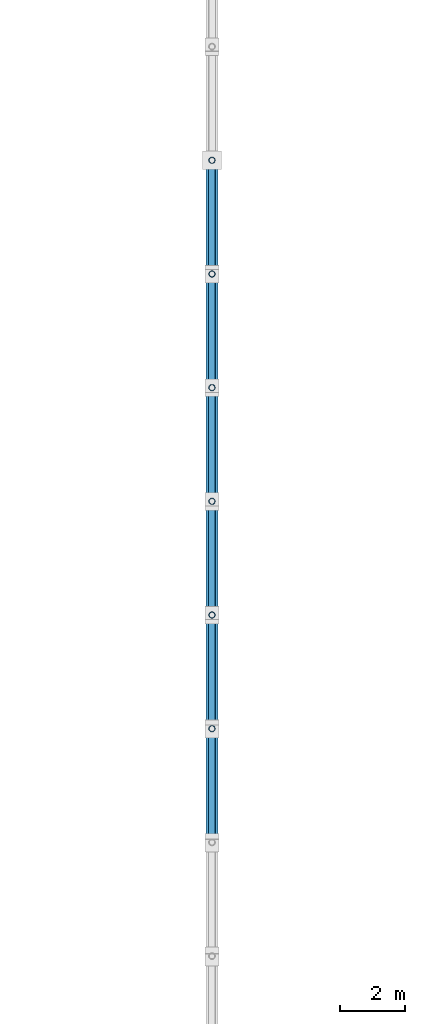
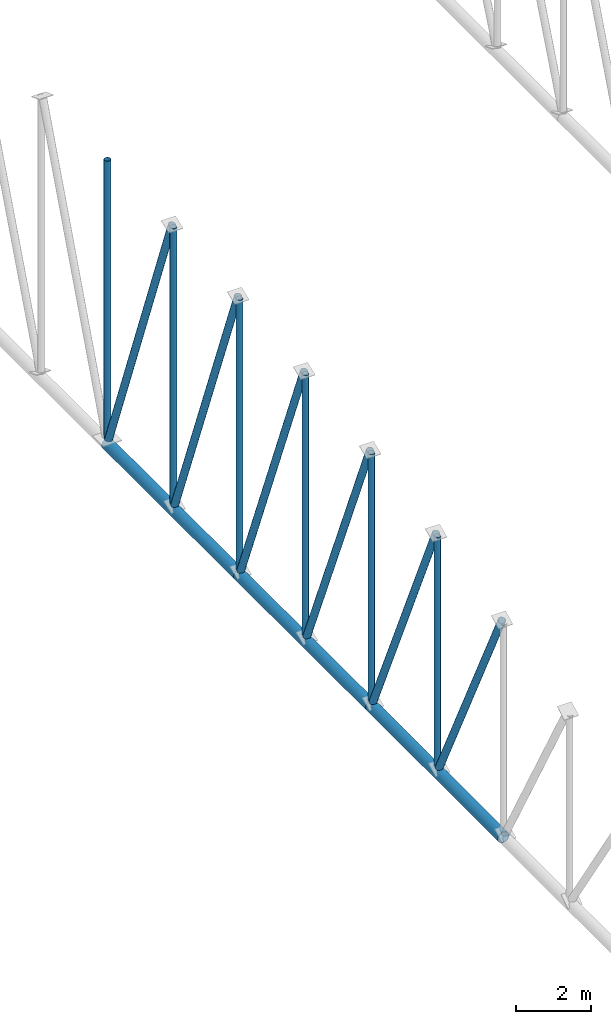
# One storey, part 73 of 196: 15 members.
"""IFC4 building model written with IfcOpenShell, lengths in metres."""

from ifc_helpers import new_model, si_unit, direction, frame, origin, origin_2d, place, context, subcontext, project, spatial, hollow_circle, extrude, material, material_profile, profile_set, type_object, element, save


model = new_model("IFC4")

# Units and contexts
model_context = context("Model", 3, precision=1e-05, world=origin(), true_north=direction((0.0, 1.0)))
body_context = subcontext(model_context, "Body", "Model", "MODEL_VIEW")
ifc_project = project(units=[si_unit("LENGTHUNIT", "METRE"), si_unit("AREAUNIT", "SQUARE_METRE"), si_unit("VOLUMEUNIT", "CUBIC_METRE"), si_unit("PLANEANGLEUNIT", "RADIAN"), si_unit("MASSUNIT", "GRAM", prefix="KILO")], contexts=[model_context])

# Site, building, storey
site_placement = place(None, origin())
site = spatial("IfcSite", under=ifc_project, at=site_placement, CompositionType="ELEMENT")
building_placement = place(site_placement, origin())
building = spatial("IfcBuilding", under=site, at=building_placement, Name="Okhra Congress Centre", CompositionType="ELEMENT")
storey_placement = place(building_placement, frame((0.0, 0.0, 12.0)))
storey = spatial("IfcBuildingStorey", under=building, at=storey_placement, Name="L02", CompositionType="ELEMENT", Elevation=12.0)

# Members
ifc_material = material(Name="Steel S355J2H", Category="steel")
ifc_material_profile_1 = material_profile(ifc_material, hollow_circle(Radius=0.096923828125, WallThickness=0.008056640625, at=origin_2d()), Name="CHS 193.7x8.0")
ifc_profile_set_1 = profile_set([ifc_material_profile_1], Name="Steel S355J2H")
member_type_1 = type_object("IfcMemberType", Name="CHS 193.7x8.0", PredefinedType="POST", material=ifc_profile_set_1)
member_1_placement = place(storey_placement, frame((118.0, 156.5, 1.577880859375), z_axis=(0.0, 0.0, 1.0), x_axis=(1.0, 0.0, 0.0)))
element("IfcMember", 1, at=member_1_placement, inside=storey, type_object=member_type_1, Name="EH.MEM.L02.T6-VER-07", PredefinedType="POST", context=body_context, shape_type="SweptSolid", body=[
    extrude(hollow_circle(Radius=0.096923828125, WallThickness=0.008056640625, at=origin_2d()), origin(), (0.0, 0.0, 1.0), 7.448974609375),
])
member_2_placement = place(storey_placement, frame((118.0, 160.0, 1.577880859375), z_axis=(0.0, 0.0, 1.0), x_axis=(1.0, 0.0, 0.0)))
element("IfcMember", 2, at=member_2_placement, inside=storey, type_object=member_type_1, Name="EH.MEM.L02.T6-VER-08", PredefinedType="POST", context=body_context, shape_type="SweptSolid", body=[
    extrude(hollow_circle(Radius=0.096923828125, WallThickness=0.008056640625, at=origin_2d()), origin(), (0.0, 0.0, 1.0), 8.01708984375),
])
member_3_placement = place(storey_placement, frame((118.0, 163.5, 1.577880859375), z_axis=(0.0, 0.0, 1.0), x_axis=(1.0, 0.0, 0.0)))
element("IfcMember", 3, at=member_3_placement, inside=storey, type_object=member_type_1, Name="EH.MEM.L02.T6-VER-09", PredefinedType="POST", context=body_context, shape_type="SweptSolid", body=[
    extrude(hollow_circle(Radius=0.096923828125, WallThickness=0.008056640625, at=origin_2d()), origin(), (0.0, 0.0, 1.0), 8.456787109375),
])
member_4_placement = place(storey_placement, frame((118.0, 167.0, 1.577880859375), z_axis=(0.0, 0.0, 1.0), x_axis=(1.0, 0.0, 0.0)))
element("IfcMember", 4, at=member_4_placement, inside=storey, type_object=member_type_1, Name="EH.MEM.L02.T6-VER-10", PredefinedType="POST", context=body_context, shape_type="SweptSolid", body=[
    extrude(hollow_circle(Radius=0.096923828125, WallThickness=0.008056640625, at=origin_2d()), origin(), (0.0, 0.0, 1.0), 8.76953125),
])
member_5_placement = place(storey_placement, frame((118.0, 170.5, 1.577880859375), z_axis=(0.0, 0.0, 1.0), x_axis=(1.0, 0.0, 0.0)))
element("IfcMember", 5, at=member_5_placement, inside=storey, type_object=member_type_1, Name="EH.MEM.L02.T6-VER-11", PredefinedType="POST", context=body_context, shape_type="SweptSolid", body=[
    extrude(hollow_circle(Radius=0.096923828125, WallThickness=0.008056640625, at=origin_2d()), origin(), (0.0, 0.0, 1.0), 8.95654296875),
])
member_6_placement = place(storey_placement, frame((118.0, 174.0, 1.577880859375), z_axis=(0.0, 0.0, 1.0), x_axis=(1.0, 0.0, 0.0)))
element("IfcMember", 6, at=member_6_placement, inside=storey, type_object=member_type_1, Name="EH.MEM.L02.T6-VER-12", PredefinedType="POST", context=body_context, shape_type="SweptSolid", body=[
    extrude(hollow_circle(Radius=0.096923828125, WallThickness=0.008056640625, at=origin_2d()), origin(), (0.0, 0.0, 1.0), 9.018798828125),
])
ifc_material_profile_2 = material_profile(ifc_material, hollow_circle(Radius=0.109619140625, WallThickness=0.010009765625, at=origin_2d()), Name="CHS 219.1x10.0")
ifc_profile_set_2 = profile_set([ifc_material_profile_2], Name="Steel S355J2H")
member_type_2 = type_object("IfcMemberType", Name="CHS 219.1x10.0", PredefinedType="BRACE", material=ifc_profile_set_2)
member_7_placement = place(storey_placement, frame((118.0, 153.083740234375, 8.365234375), z_axis=(0.0, 0.440367038805, -0.897817838503), x_axis=(-1.0, 0.0, 0.0)))
element("IfcMember", 7, at=member_7_placement, inside=storey, type_object=member_type_2, Name="EH.MEM.L02.T6-DIA-06", PredefinedType="BRACE", context=body_context, shape_type="SweptSolid", body=[
    extrude(hollow_circle(Radius=0.109619140625, WallThickness=0.010009765625, at=origin_2d()), origin(), (0.0, 0.0, 1.0), 7.559814453125),
])
member_8_placement = place(storey_placement, frame((118.0, 156.57763671875, 9.0595703125), z_axis=(0.0, 0.407953800593, -0.913002572057), x_axis=(-1.0, 0.0, 0.0)))
element("IfcMember", 8, at=member_8_placement, inside=storey, type_object=member_type_2, Name="EH.MEM.L02.T6-DIA-07", PredefinedType="BRACE", context=body_context, shape_type="SweptSolid", body=[
    extrude(hollow_circle(Radius=0.109619140625, WallThickness=0.010009765625, at=origin_2d()), origin(), (0.0, 0.0, 1.0), 8.194580078125),
])
member_9_placement = place(storey_placement, frame((118.0, 160.073486328125, 9.6240234375), z_axis=(0.0, 0.384613395842, -0.92307775173), x_axis=(-1.0, 0.0, 0.0)))
element("IfcMember", 9, at=member_9_placement, inside=storey, type_object=member_type_2, Name="EH.MEM.L02.T6-DIA-08", PredefinedType="BRACE", context=body_context, shape_type="SweptSolid", body=[
    extrude(hollow_circle(Radius=0.109619140625, WallThickness=0.010009765625, at=origin_2d()), origin(), (0.0, 0.0, 1.0), 8.716552734375),
])
member_10_placement = place(storey_placement, frame((118.0, 163.570556640625, 10.060546875), z_axis=(0.0, 0.368181952794, -0.929753757528), x_axis=(-1.0, 0.0, 0.0)))
element("IfcMember", 10, at=member_10_placement, inside=storey, type_object=member_type_2, Name="EH.MEM.L02.T6-DIA-09", PredefinedType="BRACE", context=body_context, shape_type="SweptSolid", body=[
    extrude(hollow_circle(Radius=0.109619140625, WallThickness=0.010009765625, at=origin_2d()), origin(), (0.0, 0.0, 1.0), 9.12353515625),
])
member_11_placement = place(storey_placement, frame((118.0, 167.069091796875, 10.37060546875), z_axis=(0.0, 0.357217988255, -0.934021043054), x_axis=(-1.0, 0.0, 0.0)))
element("IfcMember", 11, at=member_11_placement, inside=storey, type_object=member_type_2, Name="EH.MEM.L02.T6-DIA-10", PredefinedType="BRACE", context=body_context, shape_type="SweptSolid", body=[
    extrude(hollow_circle(Radius=0.109619140625, WallThickness=0.010009765625, at=origin_2d()), origin(), (0.0, 0.0, 1.0), 9.413818359375),
])
member_12_placement = place(storey_placement, frame((118.0, 170.568359375, 10.55517578125), z_axis=(0.0, 0.35098669327, -0.936380446799), x_axis=(-1.0, 0.0, 0.0)))
element("IfcMember", 12, at=member_12_placement, inside=storey, type_object=member_type_2, Name="EH.MEM.L02.T6-DIA-11", PredefinedType="BRACE", context=body_context, shape_type="SweptSolid", body=[
    extrude(hollow_circle(Radius=0.109619140625, WallThickness=0.010009765625, at=origin_2d()), origin(), (0.0, 0.0, 1.0), 9.587158203125),
])
ifc_material_profile_3 = material_profile(ifc_material, hollow_circle(Radius=0.177734375, WallThickness=0.01611328125, at=origin_2d()), Name="CHS 355.6x16.0")
ifc_profile_set_3 = profile_set([ifc_material_profile_3], Name="Steel S355J2H")
member_type_3 = type_object("IfcMemberType", Name="CHS 355.6x16.0", PredefinedType="CHORD", material=ifc_profile_set_3)
member_13_placement = place(storey_placement, frame((118.0, 153.0, 1.39990234375), z_axis=(0.0, 1.0, 0.0), x_axis=(-1.0, 0.0, 0.0)))
element("IfcMember", 13, at=member_13_placement, inside=storey, type_object=member_type_3, Name="EH.MEM.L02.T6-BOT-04", PredefinedType="CHORD", context=body_context, shape_type="SweptSolid", body=[
    extrude(hollow_circle(Radius=0.177734375, WallThickness=0.01611328125, at=origin_2d()), origin(), (0.0, 0.0, 1.0), 7.0),
])
ifc_material_profile_4 = material_profile(ifc_material, hollow_circle(Radius=0.177734375, WallThickness=0.02001953125, at=origin_2d()), Name="CHS 355.6x20.0")
ifc_profile_set_4 = profile_set([ifc_material_profile_4], Name="Steel S355J2H")
member_type_4 = type_object("IfcMemberType", Name="CHS 355.6x20.0", PredefinedType="CHORD", material=ifc_profile_set_4)
for number, where, z_axis, x_axis, name in (
    (14, (118.0, 160.0, 1.39990234375), (0.0, 1.0, 0.0), (-1.0, 0.0, 0.0), "EH.MEM.L02.T6-BOT-05"),
    (15, (118.0, 167.0, 1.39990234375), (0.0, 1.0, 0.0), (-1.0, 0.0, 0.0), "EH.MEM.L02.T6-BOT-06"),
):
    element("IfcMember", number, at=place(storey_placement, frame(where, z_axis=z_axis, x_axis=x_axis)), inside=storey, type_object=member_type_4, Name=name, PredefinedType="CHORD", context=body_context, shape_type="SweptSolid", body=[
        extrude(hollow_circle(Radius=0.177734375, WallThickness=0.02001953125, at=origin_2d()), origin(), (0.0, 0.0, 1.0), 7.0),
    ])

save(model, "model.ifc")
